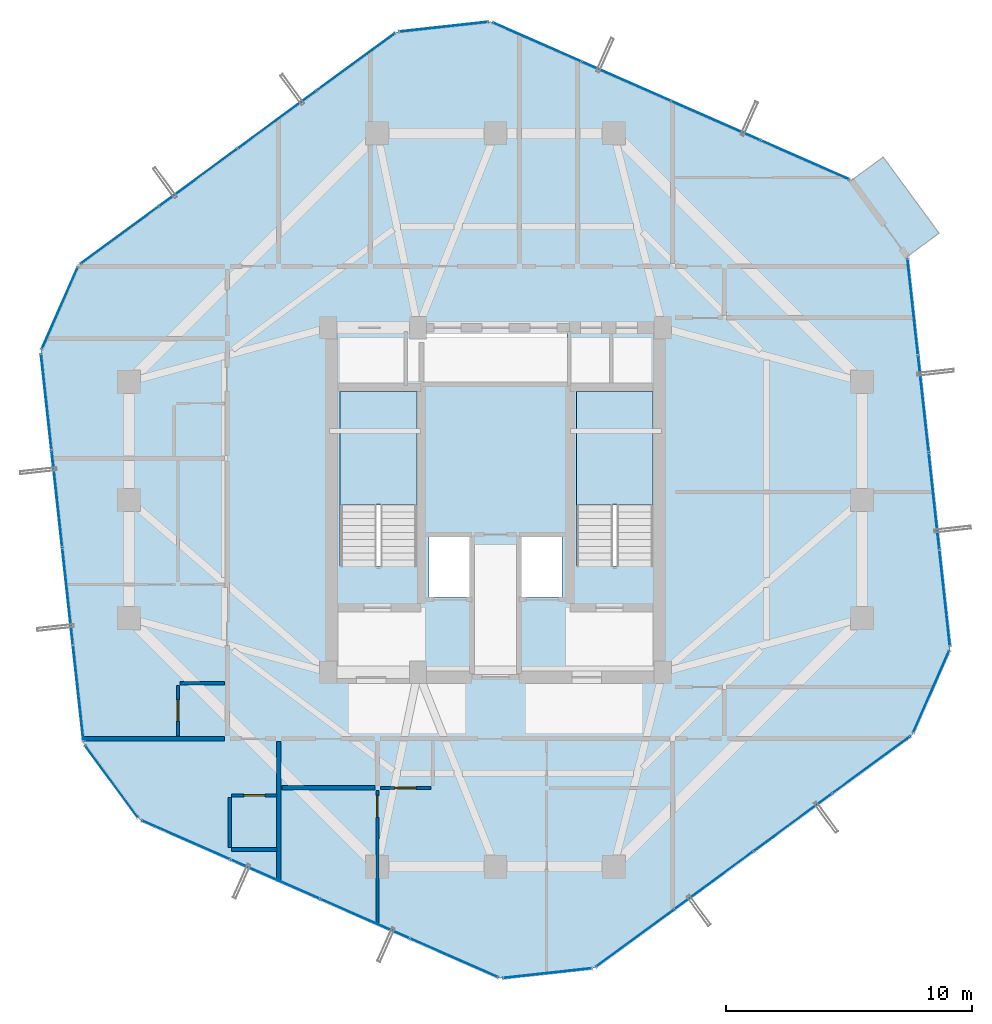
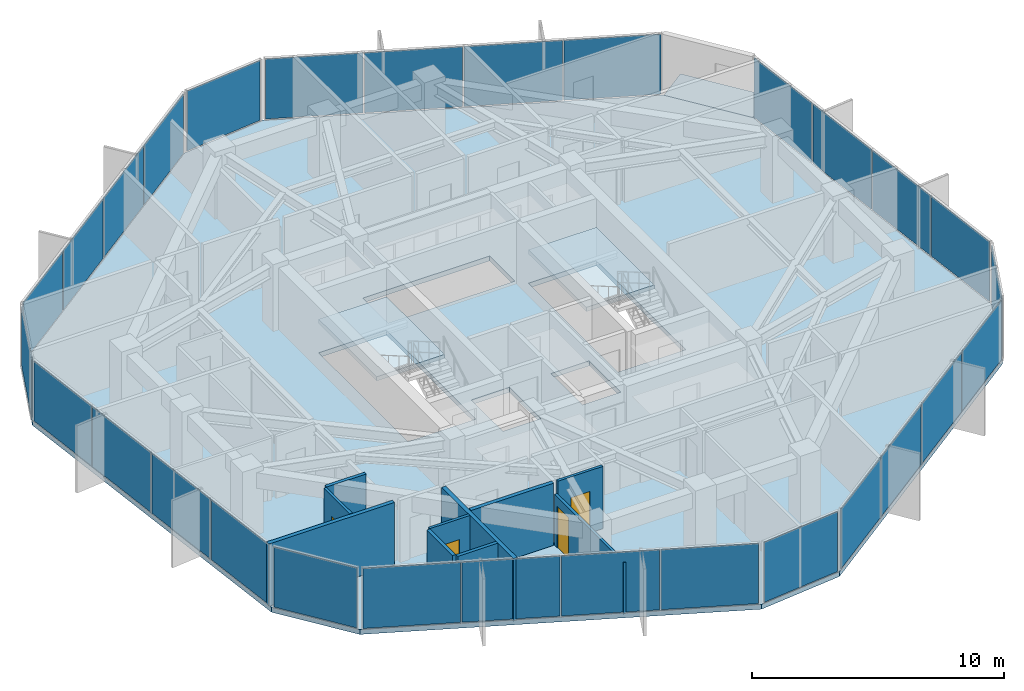
# One storey, part 27 of 32: 29 plates, 10 walls, 4 doors, 4 slabs, 4 openings, 13 elements without a shape of their own.
"""IFC4 building model written with IfcOpenShell, lengths in metres."""

from ifc_helpers import new_model, si_unit, direction, frame, frame_2d, origin, origin_2d, place, context, subcontext, project, spatial, polyline, rectangle, outline, extrude, source, transform, mapped, material, layer, layer_set, type_object, element, fill, aggregate, save


model = new_model("IFC4")

# Units and contexts
model_context = context("Model", 3, precision=1e-05, world=origin(), true_north=direction((0.0, 1.0)))
body_context = subcontext(model_context, "Body", "Model", "MODEL_VIEW")
ifc_project = project(units=[si_unit("LENGTHUNIT", "METRE"), si_unit("AREAUNIT", "SQUARE_METRE"), si_unit("VOLUMEUNIT", "CUBIC_METRE"), si_unit("PLANEANGLEUNIT", "RADIAN"), si_unit("MASSUNIT", "GRAM", prefix="KILO")], contexts=[model_context])

# Site, building, storey
site_placement = place(None, origin())
site = spatial("IfcSite", under=ifc_project, at=site_placement, CompositionType="ELEMENT")
building_placement = place(site_placement, origin())
building = spatial("IfcBuilding", under=site, at=building_placement, Name="Veraguas Prism Commons", CompositionType="ELEMENT")
storey_placement = place(building_placement, frame((0.0, 0.0, 185.35009765625)))
storey = spatial("IfcBuildingStorey", under=building, at=storey_placement, Name="L52", CompositionType="ELEMENT", Elevation=185.35009765625)

# Stair, slab
ifc_material_1 = material(Name="Precast concrete C45/55", Category="concrete")
stair_type = type_object("IfcStairType", Name="Dogleg Core Stair 1480W 20R 05", PredefinedType="HALF_TURN_STAIR", material=ifc_material_1)
stair_1_placement = place(storey_placement, origin())
stair_1 = element("IfcStair", 1, at=stair_1_placement, inside=storey, type_object=stair_type, Name="Protected Exit Stair ST-01 L52", PredefinedType="HALF_TURN_STAIR")
ifc_layer_1 = layer(ifc_material_1, 0.199951171875, Name="Precast Stair and Ramp Landing Slab 200", Category="concrete")
ifc_layer_set_1 = layer_set([ifc_layer_1], Name="Precast concrete C45/55")
slab_type_1 = type_object("IfcSlabType", Name="Precast Stair and Ramp Landing Slab 200", PredefinedType="LANDING", material=ifc_layer_set_1)
slab_1_placement = place(storey_placement, frame((0.0, 0.0, 1.4248046875)))
slab_1 = element("IfcSlab", 2, at=slab_1_placement, type_object=slab_type_1, Name="ST-05 Landing 1", PredefinedType="LANDING", context=body_context, shape_type="SweptSolid", body=[
    extrude(outline(polyline([(20.800048828125, 23.800048828125), (20.800048828125, 28.39990234375), (17.68994140625, 28.39990234375), (17.68994140625, 23.800048828125), (20.800048828125, 23.800048828125)])), origin(), (0.0, 0.0, 1.0), 0.2001953125),
])
aggregate(stair_1, [slab_1])

stair_2_placement = place(storey_placement, origin())
stair_2 = element("IfcStair", 3, at=stair_2_placement, inside=storey, type_object=stair_type, Name="Protected Exit Stair ST-02 L52", PredefinedType="HALF_TURN_STAIR")
slab_2_placement = place(storey_placement, frame((0.0, 0.0, 1.4248046875)))
slab_2 = element("IfcSlab", 4, at=slab_2_placement, type_object=slab_type_1, Name="ST-05 Landing 1", PredefinedType="LANDING", context=body_context, shape_type="SweptSolid", body=[
    extrude(outline(polyline([(30.39990234375, 23.800048828125), (30.39990234375, 28.39990234375), (27.2900390625, 28.39990234375), (27.2900390625, 23.800048828125), (30.39990234375, 23.800048828125)])), origin(), (0.0, 0.0, 1.0), 0.2001953125),
])
aggregate(stair_2, [slab_2])

# Slabs
ifc_material_2 = material(Name="Concrete C45/55", Category="concrete")
ifc_layer_2 = layer(ifc_material_2, 0.219970703125, Name="Recessed Loggia and Terrace Slab RC 220", Category="concrete")
ifc_layer_set_2 = layer_set([ifc_layer_2], Name="Concrete C45/55")
slab_type_2 = type_object("IfcSlabType", Name="Recessed Loggia and Terrace Slab RC 220", PredefinedType="FLOOR", material=ifc_layer_set_2)
slab_3_placement = place(storey_placement, frame((0.0, 0.0, -0.22021484375)))
element("IfcSlab", 5, at=slab_3_placement, inside=storey, type_object=slab_type_2, Name="Recessed Corner Loggia L52-C1", PredefinedType="FLOOR", context=body_context, shape_type="SweptSolid", body=[
    extrude(outline(polyline([(40.715087890625, 33.8828125), (42.021240234375, 34.8408203125), (39.75341796875, 37.9326171875), (38.447021484375, 36.974609375), (40.715087890625, 33.8828125)])), origin(), (0.0, 0.0, 1.0), 0.22021484375),
])
ifc_layer_3 = layer(ifc_material_2, 0.235107421875, Name="Tower Upper Residential Floor Slab RC 235", Category="concrete")
ifc_layer_set_3 = layer_set([ifc_layer_3], Name="Concrete C45/55")
slab_type_3 = type_object("IfcSlabType", Name="Tower Upper Residential Floor Slab RC 235", PredefinedType="FLOOR", material=ifc_layer_set_3)
slab_4_placement = place(storey_placement, frame((0.0, 0.0, -0.235107421875)))
element("IfcSlab", 6, at=slab_4_placement, inside=storey, type_object=slab_type_3, Name="Tower Floor Slab L52", PredefinedType="FLOOR", context=body_context, shape_type="SweptSolid", body=[
    extrude(outline(polyline([(40.731201171875, 33.89453125), (38.463134765625, 36.986328125), (23.796630859375, 43.436767578125), (19.985107421875, 43.018798828125), (7.0654296875, 33.542236328125), (5.521728515625, 30.0322265625), (7.268798828125, 14.10546875), (9.536865234375, 11.013671875), (24.203369140625, 4.563232421875), (28.014892578125, 4.981201171875), (40.9345703125, 14.457763671875), (42.478271484375, 17.9677734375), (40.731201171875, 33.89453125)]), holes=[polyline([(20.800048828125, 21.31005859375), (20.800048828125, 28.39990234375), (17.68994140625, 28.39990234375), (17.68994140625, 21.31005859375), (20.800048828125, 21.31005859375)]), polyline([(30.39990234375, 21.31005859375), (30.39990234375, 28.39990234375), (27.2900390625, 28.39990234375), (27.2900390625, 21.31005859375), (30.39990234375, 21.31005859375)]), polyline([(21.10009765625, 28.800048828125), (26.89990234375, 28.800048828125), (26.89990234375, 30.800048828125), (21.10009765625, 30.800048828125), (21.10009765625, 28.800048828125)]), polyline([(21.300048828125, 20.050048828125), (23.050048828125, 20.050048828125), (23.050048828125, 22.550048828125), (21.300048828125, 22.550048828125), (21.300048828125, 20.050048828125)]), polyline([(24.949951171875, 20.050048828125), (26.699951171875, 20.050048828125), (26.699951171875, 22.550048828125), (24.949951171875, 22.550048828125), (24.949951171875, 20.050048828125)])]), origin(), (0.0, 0.0, 1.0), 0.235107421875),
])

# Curtain wall, plates
ifc_material_3 = material(Name="Anodised aluminium EN AW-6063 T6", Category="aluminium")
ifc_layer_4 = layer(ifc_material_3, 0.14990234375, Name="Unitised Flush Curtain Wall Zone 3", Category="aluminium")
ifc_layer_set_4 = layer_set([ifc_layer_4], Name="Anodised aluminium EN AW-6063 T6")
curtain_wall_type = type_object("IfcCurtainWallType", Name="Unitised Flush Curtain Wall Zone 3", PredefinedType="NOTDEFINED", material=ifc_layer_set_4)
curtain_wall_1_placement = place(storey_placement, origin())
curtain_wall_1 = element("IfcCurtainWall", 7, at=curtain_wall_1_placement, inside=storey, type_object=curtain_wall_type, Name="Tower Facade Curtain Wall L52-F1", PredefinedType="NOTDEFINED")
ifc_material_4 = material(Name="Laminated low-e glass", Category="glass")
ifc_layer_5 = layer(ifc_material_4, 0.028076171875, Name="Unitised Double Low-E Glazed Panel 28", Category="glass")
ifc_layer_set_5 = layer_set([ifc_layer_5], Name="Laminated low-e glass")
plate_type = type_object("IfcPlateType", Name="Unitised Double Low-E Glazed Panel 28", PredefinedType="CURTAIN_PANEL", material=ifc_layer_set_5)
shared_shape_1 = source(origin(), body_context, "Body", "SweptSolid", [
    extrude(rectangle(XDim=3.885498046875, YDim=0.028076171875, at=origin_2d()), origin(), (0.0, 0.0, 1.0), 2.905029296875),
])
plate_1_placement = place(storey_placement, frame((36.574951171875, 37.81689453125, 0.0546875), z_axis=(0.0, 0.0, 1.0), x_axis=(-0.915384568301, 0.402580541155, 0.0)))
plate_1 = element("IfcPlate", 8, at=plate_1_placement, type_object=plate_type, Name="CW-Z3 Panel 1.1", PredefinedType="CURTAIN_PANEL", context=body_context, shape_type="MappedRepresentation", body=[
    mapped(shared_shape_1, transform((0.0, 0.0, 0.0), scale=1.0)),
])
plate_2_placement = place(storey_placement, frame((25.684814453125, 42.606201171875, 0.0546875), z_axis=(0.0, 0.0, 1.0), x_axis=(-0.915384568301, 0.402580541155, 0.0)))
plate_2 = element("IfcPlate", 9, at=plate_2_placement, type_object=plate_type, Name="CW-Z3 Panel 4.1", PredefinedType="CURTAIN_PANEL", context=body_context, shape_type="MappedRepresentation", body=[
    mapped(shared_shape_1, transform((0.0, 0.0, 0.0), scale=1.0)),
])

curtain_wall_2_placement = place(storey_placement, origin())
curtain_wall_2 = element("IfcCurtainWall", 10, at=curtain_wall_2_placement, inside=storey, type_object=curtain_wall_type, Name="Tower Facade Curtain Wall L52-F2", PredefinedType="NOTDEFINED")
plate_3_placement = place(storey_placement, frame((18.32177734375, 41.798583984375, 0.0546875), z_axis=(0.0, 0.0, 1.0), x_axis=(-0.806341388983, -0.591450390493, 0.0)))
plate_3 = element("IfcPlate", 11, at=plate_3_placement, type_object=plate_type, Name="CW-Z3 Panel 1.1", PredefinedType="CURTAIN_PANEL", context=body_context, shape_type="MappedRepresentation", body=[
    mapped(shared_shape_1, transform((0.0, 0.0, 0.0), scale=1.0)),
])
plate_4_placement = place(storey_placement, frame((8.728759765625, 34.76220703125, 0.0546875), z_axis=(0.0, 0.0, 1.0), x_axis=(-0.806341388983, -0.591450390493, 0.0)))
plate_4 = element("IfcPlate", 12, at=plate_4_placement, type_object=plate_type, Name="CW-Z3 Panel 4.1", PredefinedType="CURTAIN_PANEL", context=body_context, shape_type="MappedRepresentation", body=[
    mapped(shared_shape_1, transform((0.0, 0.0, 0.0), scale=1.0)),
])

curtain_wall_3_placement = place(storey_placement, origin())
curtain_wall_3 = element("IfcCurtainWall", 13, at=curtain_wall_3_placement, inside=storey, type_object=curtain_wall_type, Name="Tower Facade Curtain Wall L52-F4", PredefinedType="NOTDEFINED")
plate_5_placement = place(storey_placement, frame((11.425048828125, 10.18310546875, 0.0546875), z_axis=(0.0, 0.0, 1.0), x_axis=(0.915384568301, -0.402580541155, 0.0)))
plate_5 = element("IfcPlate", 14, at=plate_5_placement, type_object=plate_type, Name="CW-Z3 Panel 1.1", PredefinedType="CURTAIN_PANEL", context=body_context, shape_type="MappedRepresentation", body=[
    mapped(shared_shape_1, transform((0.0, 0.0, 0.0), scale=1.0)),
])
plate_6_placement = place(storey_placement, frame((22.315185546875, 5.393798828125, 0.0546875), z_axis=(0.0, 0.0, 1.0), x_axis=(0.915384568301, -0.402580541155, 0.0)))
plate_6 = element("IfcPlate", 15, at=plate_6_placement, type_object=plate_type, Name="CW-Z3 Panel 4.1", PredefinedType="CURTAIN_PANEL", context=body_context, shape_type="MappedRepresentation", body=[
    mapped(shared_shape_1, transform((0.0, 0.0, 0.0), scale=1.0)),
])

curtain_wall_4_placement = place(storey_placement, origin())
curtain_wall_4 = element("IfcCurtainWall", 16, at=curtain_wall_4_placement, inside=storey, type_object=curtain_wall_type, Name="Tower Facade Curtain Wall L52-F5", PredefinedType="NOTDEFINED")
plate_7_placement = place(storey_placement, frame((29.67822265625, 6.201416015625, 0.0546875), z_axis=(0.0, 0.0, 1.0), x_axis=(0.806341388983, 0.591450390493, 0.0)))
plate_7 = element("IfcPlate", 17, at=plate_7_placement, type_object=plate_type, Name="CW-Z3 Panel 1.1", PredefinedType="CURTAIN_PANEL", context=body_context, shape_type="MappedRepresentation", body=[
    mapped(shared_shape_1, transform((0.0, 0.0, 0.0), scale=1.0)),
])
plate_8_placement = place(storey_placement, frame((39.271240234375, 13.23779296875, 0.0546875), z_axis=(0.0, 0.0, 1.0), x_axis=(0.806341388983, 0.591450390493, 0.0)))
plate_8 = element("IfcPlate", 18, at=plate_8_placement, type_object=plate_type, Name="CW-Z3 Panel 4.1", PredefinedType="CURTAIN_PANEL", context=body_context, shape_type="MappedRepresentation", body=[
    mapped(shared_shape_1, transform((0.0, 0.0, 0.0), scale=1.0)),
])

# Plate
shared_shape_2 = source(origin(), body_context, "Body", "SweptSolid", [
    extrude(rectangle(XDim=3.91552734375, YDim=0.028076171875, at=origin_2d()), origin(), (0.0, 0.0, 1.0), 2.905029296875),
])
plate_9_placement = place(storey_placement, frame((32.949462890625, 39.411376953125, 0.0546875), z_axis=(0.0, 0.0, 1.0), x_axis=(-0.915384568301, 0.402580541155, 0.0)))
plate_9 = element("IfcPlate", 19, at=plate_9_placement, type_object=plate_type, Name="CW-Z3 Panel 2.1", PredefinedType="CURTAIN_PANEL", context=body_context, shape_type="MappedRepresentation", body=[
    mapped(shared_shape_2, transform((0.0, 0.0, 0.0), scale=1.0)),
])

plate_10_placement = place(storey_placement, frame((29.310302734375, 41.011962890625, 0.0546875), z_axis=(0.0, 0.0, 1.0), x_axis=(-0.915384568301, 0.402580541155, 0.0)))
plate_10 = element("IfcPlate", 20, at=plate_10_placement, type_object=plate_type, Name="CW-Z3 Panel 3.1", PredefinedType="CURTAIN_PANEL", context=body_context, shape_type="MappedRepresentation", body=[
    mapped(shared_shape_2, transform((0.0, 0.0, 0.0), scale=1.0)),
])

aggregate(curtain_wall_1, [plate_1, plate_9, plate_10, plate_2])

plate_11_placement = place(storey_placement, frame((15.128173828125, 39.4560546875, 0.0546875), z_axis=(0.0, 0.0, 1.0), x_axis=(-0.806341388983, -0.591450390493, 0.0)))
plate_11 = element("IfcPlate", 21, at=plate_11_placement, type_object=plate_type, Name="CW-Z3 Panel 2.1", PredefinedType="CURTAIN_PANEL", context=body_context, shape_type="MappedRepresentation", body=[
    mapped(shared_shape_2, transform((0.0, 0.0, 0.0), scale=1.0)),
])

plate_12_placement = place(storey_placement, frame((11.92236328125, 37.104736328125, 0.0546875), z_axis=(0.0, 0.0, 1.0), x_axis=(-0.806341388983, -0.591450390493, 0.0)))
plate_12 = element("IfcPlate", 22, at=plate_12_placement, type_object=plate_type, Name="CW-Z3 Panel 3.1", PredefinedType="CURTAIN_PANEL", context=body_context, shape_type="MappedRepresentation", body=[
    mapped(shared_shape_2, transform((0.0, 0.0, 0.0), scale=1.0)),
])

aggregate(curtain_wall_2, [plate_3, plate_11, plate_12, plate_4])

# Curtain wall, plates
curtain_wall_5_placement = place(storey_placement, origin())
curtain_wall_5 = element("IfcCurtainWall", 23, at=curtain_wall_5_placement, inside=storey, type_object=curtain_wall_type, Name="Tower Facade Curtain Wall L52-F3", PredefinedType="NOTDEFINED")
plate_13_placement = place(storey_placement, frame((6.178466796875, 24.044921875, 0.0546875), z_axis=(0.0, 0.0, 1.0), x_axis=(0.109045573519, -0.99403675128, 0.0)))
plate_13 = element("IfcPlate", 24, at=plate_13_placement, type_object=plate_type, Name="CW-Z3 Panel 2.1", PredefinedType="CURTAIN_PANEL", context=body_context, shape_type="MappedRepresentation", body=[
    mapped(shared_shape_2, transform((0.0, 0.0, 0.0), scale=1.0)),
])
plate_14_placement = place(storey_placement, frame((6.612060546875, 20.0927734375, 0.0546875), z_axis=(0.0, 0.0, 1.0), x_axis=(0.109045573519, -0.99403675128, 0.0)))
plate_14 = element("IfcPlate", 25, at=plate_14_placement, type_object=plate_type, Name="CW-Z3 Panel 3.1", PredefinedType="CURTAIN_PANEL", context=body_context, shape_type="MappedRepresentation", body=[
    mapped(shared_shape_2, transform((0.0, 0.0, 0.0), scale=1.0)),
])

# Plate
plate_15_placement = place(storey_placement, frame((15.050537109375, 8.588623046875, 0.0546875), z_axis=(0.0, 0.0, 1.0), x_axis=(0.915384568301, -0.402580541155, 0.0)))
plate_15 = element("IfcPlate", 26, at=plate_15_placement, type_object=plate_type, Name="CW-Z3 Panel 2.1", PredefinedType="CURTAIN_PANEL", context=body_context, shape_type="MappedRepresentation", body=[
    mapped(shared_shape_2, transform((0.0, 0.0, 0.0), scale=1.0)),
])

plate_16_placement = place(storey_placement, frame((18.689697265625, 6.988037109375, 0.0546875), z_axis=(0.0, 0.0, 1.0), x_axis=(0.915384568301, -0.402580541155, 0.0)))
plate_16 = element("IfcPlate", 27, at=plate_16_placement, type_object=plate_type, Name="CW-Z3 Panel 3.1", PredefinedType="CURTAIN_PANEL", context=body_context, shape_type="MappedRepresentation", body=[
    mapped(shared_shape_2, transform((0.0, 0.0, 0.0), scale=1.0)),
])

aggregate(curtain_wall_3, [plate_5, plate_15, plate_16, plate_6])

plate_17_placement = place(storey_placement, frame((32.871826171875, 8.5439453125, 0.0546875), z_axis=(0.0, 0.0, 1.0), x_axis=(0.806341388983, 0.591450390493, 0.0)))
plate_17 = element("IfcPlate", 28, at=plate_17_placement, type_object=plate_type, Name="CW-Z3 Panel 2.1", PredefinedType="CURTAIN_PANEL", context=body_context, shape_type="MappedRepresentation", body=[
    mapped(shared_shape_2, transform((0.0, 0.0, 0.0), scale=1.0)),
])

plate_18_placement = place(storey_placement, frame((36.07763671875, 10.895263671875, 0.0546875), z_axis=(0.0, 0.0, 1.0), x_axis=(0.806341388983, 0.591450390493, 0.0)))
plate_18 = element("IfcPlate", 29, at=plate_18_placement, type_object=plate_type, Name="CW-Z3 Panel 3.1", PredefinedType="CURTAIN_PANEL", context=body_context, shape_type="MappedRepresentation", body=[
    mapped(shared_shape_2, transform((0.0, 0.0, 0.0), scale=1.0)),
])

aggregate(curtain_wall_4, [plate_7, plate_17, plate_18, plate_8])

# Curtain wall, plates
curtain_wall_6_placement = place(storey_placement, origin())
curtain_wall_6 = element("IfcCurtainWall", 30, at=curtain_wall_6_placement, inside=storey, type_object=curtain_wall_type, Name="Tower Facade Curtain Wall L52-F6", PredefinedType="NOTDEFINED")
plate_19_placement = place(storey_placement, frame((41.821533203125, 23.955078125, 0.0546875), z_axis=(0.0, 0.0, 1.0), x_axis=(-0.109045573519, 0.99403675128, 0.0)))
plate_19 = element("IfcPlate", 31, at=plate_19_placement, type_object=plate_type, Name="CW-Z3 Panel 2.1", PredefinedType="CURTAIN_PANEL", context=body_context, shape_type="MappedRepresentation", body=[
    mapped(shared_shape_2, transform((0.0, 0.0, 0.0), scale=1.0)),
])
plate_20_placement = place(storey_placement, frame((41.387939453125, 27.9072265625, 0.0546875), z_axis=(0.0, 0.0, 1.0), x_axis=(-0.109045573519, 0.99403675128, 0.0)))
plate_20 = element("IfcPlate", 32, at=plate_20_placement, type_object=plate_type, Name="CW-Z3 Panel 3.1", PredefinedType="CURTAIN_PANEL", context=body_context, shape_type="MappedRepresentation", body=[
    mapped(shared_shape_2, transform((0.0, 0.0, 0.0), scale=1.0)),
])

# Plate
shared_shape_3 = source(origin(), body_context, "Body", "SweptSolid", [
    extrude(rectangle(XDim=3.8857421875, YDim=0.028076171875, at=origin_2d()), origin(), (0.0, 0.0, 1.0), 2.905029296875),
])
plate_21_placement = place(storey_placement, frame((5.74658203125, 27.98193359375, 0.0546875), z_axis=(0.0, 0.0, 1.0), x_axis=(0.109045573519, -0.99403675128, 0.0)))
plate_21 = element("IfcPlate", 33, at=plate_21_placement, type_object=plate_type, Name="CW-Z3 Panel 1.1", PredefinedType="CURTAIN_PANEL", context=body_context, shape_type="MappedRepresentation", body=[
    mapped(shared_shape_3, transform((0.0, 0.0, 0.0), scale=1.0)),
])

plate_22_placement = place(storey_placement, frame((7.0439453125, 16.15576171875, 0.0546875), z_axis=(0.0, 0.0, 1.0), x_axis=(0.109045573519, -0.99403675128, 0.0)))
plate_22 = element("IfcPlate", 34, at=plate_22_placement, type_object=plate_type, Name="CW-Z3 Panel 4.1", PredefinedType="CURTAIN_PANEL", context=body_context, shape_type="MappedRepresentation", body=[
    mapped(shared_shape_3, transform((0.0, 0.0, 0.0), scale=1.0)),
])

aggregate(curtain_wall_5, [plate_21, plate_13, plate_14, plate_22])

plate_23_placement = place(storey_placement, frame((42.25341796875, 20.01806640625, 0.0546875), z_axis=(0.0, 0.0, 1.0), x_axis=(-0.109045573519, 0.99403675128, 0.0)))
plate_23 = element("IfcPlate", 35, at=plate_23_placement, type_object=plate_type, Name="CW-Z3 Panel 1.1", PredefinedType="CURTAIN_PANEL", context=body_context, shape_type="MappedRepresentation", body=[
    mapped(shared_shape_3, transform((0.0, 0.0, 0.0), scale=1.0)),
])

plate_24_placement = place(storey_placement, frame((40.9560546875, 31.84423828125, 0.0546875), z_axis=(0.0, 0.0, 1.0), x_axis=(-0.109045573519, 0.99403675128, 0.0)))
plate_24 = element("IfcPlate", 36, at=plate_24_placement, type_object=plate_type, Name="CW-Z3 Panel 4.1", PredefinedType="CURTAIN_PANEL", context=body_context, shape_type="MappedRepresentation", body=[
    mapped(shared_shape_3, transform((0.0, 0.0, 0.0), scale=1.0)),
])

aggregate(curtain_wall_6, [plate_23, plate_19, plate_20, plate_24])

# Curtain wall, plate
curtain_wall_7_placement = place(storey_placement, origin())
curtain_wall_7 = element("IfcCurtainWall", 37, at=curtain_wall_7_placement, inside=storey, type_object=curtain_wall_type, Name="Chamfer Curtain Wall L52-C4", PredefinedType="NOTDEFINED")
shared_shape_4 = source(origin(), body_context, "Body", "SweptSolid", [
    extrude(rectangle(XDim=3.59423828125, YDim=0.028076171875, at=origin_2d()), origin(), (0.0, 0.0, 1.0), 2.905029296875),
])
plate_25_placement = place(storey_placement, frame((8.40283203125, 12.5595703125, 0.0546875), z_axis=(0.0, 0.0, 1.0), x_axis=(0.5914630564, -0.806332098402, 0.0)))
plate_25 = element("IfcPlate", 38, at=plate_25_placement, type_object=plate_type, Name="CW-Z3 Panel 1.1", PredefinedType="CURTAIN_PANEL", context=body_context, shape_type="MappedRepresentation", body=[
    mapped(shared_shape_4, transform((0.0, 0.0, 0.0), scale=1.0)),
])
aggregate(curtain_wall_7, [plate_25])

curtain_wall_8_placement = place(storey_placement, origin())
curtain_wall_8 = element("IfcCurtainWall", 39, at=curtain_wall_8_placement, inside=storey, type_object=curtain_wall_type, Name="Chamfer Curtain Wall L52-C2", PredefinedType="NOTDEFINED")
shared_shape_5 = source(origin(), body_context, "Body", "SweptSolid", [
    extrude(rectangle(XDim=3.594482421875, YDim=0.028076171875, at=origin_2d()), origin(), (0.0, 0.0, 1.0), 2.905029296875),
])
plate_26_placement = place(storey_placement, frame((21.890869140625, 43.227783203125, 0.0546875), z_axis=(0.0, 0.0, 1.0), x_axis=(-0.994035038274, -0.109061187799, 0.0)))
plate_26 = element("IfcPlate", 40, at=plate_26_placement, type_object=plate_type, Name="CW-Z3 Panel 1.1", PredefinedType="CURTAIN_PANEL", context=body_context, shape_type="MappedRepresentation", body=[
    mapped(shared_shape_5, transform((0.0, 0.0, 0.0), scale=1.0)),
])
aggregate(curtain_wall_8, [plate_26])

curtain_wall_9_placement = place(storey_placement, origin())
curtain_wall_9 = element("IfcCurtainWall", 41, at=curtain_wall_9_placement, inside=storey, type_object=curtain_wall_type, Name="Chamfer Curtain Wall L52-C3", PredefinedType="NOTDEFINED")
plate_27_placement = place(storey_placement, frame((6.293701171875, 31.787353515625, 0.0546875), z_axis=(0.0, 0.0, 1.0), x_axis=(-0.402570955249, -0.915388784064, 0.0)))
plate_27 = element("IfcPlate", 42, at=plate_27_placement, type_object=plate_type, Name="CW-Z3 Panel 1.1", PredefinedType="CURTAIN_PANEL", context=body_context, shape_type="MappedRepresentation", body=[
    mapped(shared_shape_5, transform((0.0, 0.0, 0.0), scale=1.0)),
])
aggregate(curtain_wall_9, [plate_27])

curtain_wall_10_placement = place(storey_placement, origin())
curtain_wall_10 = element("IfcCurtainWall", 43, at=curtain_wall_10_placement, inside=storey, type_object=curtain_wall_type, Name="Chamfer Curtain Wall L52-C5", PredefinedType="NOTDEFINED")
plate_28_placement = place(storey_placement, frame((26.109130859375, 4.772216796875, 0.0546875), z_axis=(0.0, 0.0, 1.0), x_axis=(0.994035038274, 0.109061187799, 0.0)))
plate_28 = element("IfcPlate", 44, at=plate_28_placement, type_object=plate_type, Name="CW-Z3 Panel 1.1", PredefinedType="CURTAIN_PANEL", context=body_context, shape_type="MappedRepresentation", body=[
    mapped(shared_shape_5, transform((0.0, 0.0, 0.0), scale=1.0)),
])
aggregate(curtain_wall_10, [plate_28])

curtain_wall_11_placement = place(storey_placement, origin())
curtain_wall_11 = element("IfcCurtainWall", 45, at=curtain_wall_11_placement, inside=storey, type_object=curtain_wall_type, Name="Chamfer Curtain Wall L52-C6", PredefinedType="NOTDEFINED")
plate_29_placement = place(storey_placement, frame((41.706298828125, 16.212646484375, 0.0546875), z_axis=(0.0, 0.0, 1.0), x_axis=(0.402570955249, 0.915388784064, 0.0)))
plate_29 = element("IfcPlate", 46, at=plate_29_placement, type_object=plate_type, Name="CW-Z3 Panel 1.1", PredefinedType="CURTAIN_PANEL", context=body_context, shape_type="MappedRepresentation", body=[
    mapped(shared_shape_5, transform((0.0, 0.0, 0.0), scale=1.0)),
])
aggregate(curtain_wall_11, [plate_29])

# Walls
ifc_material_5 = material(Name="Autoclaved aerated masonry block 10 MPa", Category="masonry")
ifc_layer_6 = layer(ifc_material_5, 0.179931640625, Name="Corridor and Inter-Tenancy Partition 180", Category="masonry")
ifc_layer_set_6 = layer_set([ifc_layer_6], Name="Autoclaved aerated masonry block 10 MPa")
wall_type_1 = type_object("IfcWallType", Name="Corridor and Inter-Tenancy Partition 180", PredefinedType="PARTITIONING", material=ifc_layer_set_6)
wall_1_placement = place(storey_placement, frame((15.199951171875, 14.179931640625, 0.0), z_axis=(0.0, 0.0, 1.0), x_axis=(0.0, -1.0, 0.0)))
element("IfcWall", 47, at=wall_1_placement, inside=storey, type_object=wall_type_1, Name="WL-L52-PT001", PredefinedType="PARTITIONING", context=body_context, shape_type="SweptSolid", body=[
    extrude(rectangle(XDim=5.68994140625, YDim=0.179931640625, at=frame_2d((2.844970703125, 0.0))), origin(), (0.0, 0.0, 1.0), 3.014892578125),
])
wall_2_placement = place(storey_placement, frame((15.320068359375, 12.300048828125, 0.0), z_axis=(0.0, 0.0, 1.0), x_axis=(1.0, 0.0, 0.0)))
element("IfcWall", 48, at=wall_2_placement, inside=storey, type_object=wall_type_1, Name="WL-L52-PT005", PredefinedType="PARTITIONING", context=body_context, shape_type="SweptSolid", body=[
    extrude(rectangle(XDim=3.780029296875, YDim=0.179931640625, at=frame_2d((1.89013671875, 0.0))), origin(), (0.0, 0.0, 1.0), 3.014892578125),
])
wall_3_placement = place(storey_placement, frame((12.97998046875, 14.300048828125, 0.0), z_axis=(0.0, 0.0, 1.0), x_axis=(-1.0, 0.0, 0.0)))
element("IfcWall", 49, at=wall_3_placement, inside=storey, type_object=wall_type_1, Name="WL-L52-PT022", PredefinedType="PARTITIONING", context=body_context, shape_type="SweptSolid", body=[
    extrude(rectangle(XDim=5.7626953125, YDim=0.179931640625, at=frame_2d((2.88134765625, 0.0))), origin(), (0.0, 0.0, 1.0), 3.014892578125),
])

# Wall, opening, door
ifc_material_6 = material(Name="Lightweight acoustic gypsum board")
ifc_layer_7 = layer(ifc_material_6, 0.125, Name="Internal Apartment Room Partition 125")
ifc_layer_set_7 = layer_set([ifc_layer_7], Name="Lightweight acoustic gypsum board")
wall_type_2 = type_object("IfcWallType", Name="Internal Apartment Room Partition 125", PredefinedType="PARTITIONING", material=ifc_layer_set_7)
wall_4_placement = place(storey_placement, frame((19.199951171875, 12.199951171875, 0.0), z_axis=(0.0, 0.0, 1.0), x_axis=(0.0, -1.0, 0.0)))
wall_4 = element("IfcWall", 50, at=wall_4_placement, inside=storey, type_object=wall_type_2, Name="WL-L52-PT007", PredefinedType="PARTITIONING", context=body_context, shape_type="SweptSolid", body=[
    extrude(rectangle(XDim=5.468994140625, YDim=0.125, at=frame_2d((2.734375, 0.0))), origin(), (0.0, 0.0, 1.0), 2.468994140625),
])
opening_1_placement = place(wall_4_placement, frame((0.199951171875, 0.0, 0.0)))
opening_1 = element("IfcOpeningElement", 51, at=opening_1_placement, cuts=wall_4, Name="Opening DR-02", PredefinedType="OPENING", context=body_context, shape_type="SweptSolid", body=[
    extrude(rectangle(XDim=0.89990234375, YDim=2.010009765625, at=frame_2d((0.449951171875, 1.0048828125))), frame((0.0, 0.072509765625, 0.0), z_axis=(0.0, -1.0, 0.0), x_axis=(1.0, 0.0, 0.0)), (0.0, 0.0, 1.0), 0.14501953125),
])
ifc_material_7 = material(Name="Timber solid core hardwood", Category="wood")
door_type_1 = type_object("IfcDoorType", Name="Internal Habitable Room Door 900x2010", OperationType="NOTDEFINED", PredefinedType="DOOR", material=ifc_material_7)
shared_shape_6 = source(origin(), body_context, "Body", "SweptSolid", [
    extrude(rectangle(XDim=0.89990234375, YDim=2.010009765625, at=frame_2d((0.449951171875, 1.0048828125))), frame((0.0, 0.02490234375, 0.0), z_axis=(0.0, -1.0, 0.0), x_axis=(1.0, 0.0, 0.0)), (0.0, 0.0, 1.0), 0.050048828125),
])
door_1_placement = place(opening_1_placement, origin())
door_1 = element("IfcDoor", 52, at=door_1_placement, inside=storey, type_object=door_type_1, Name="Flat 52A Bedroom 2 Door", OperationType="SINGLE_SWING_RIGHT", OverallHeight=2.010009765625, OverallWidth=0.89990234375, PredefinedType="DOOR", context=body_context, shape_type="MappedRepresentation", body=[
    mapped(shared_shape_6, transform((0.0, 0.0, 0.0), scale=1.0)),
])
fill(opening_1, door_1)

wall_5_placement = place(storey_placement, frame((19.320068359375, 12.300048828125, 0.0), z_axis=(0.0, 0.0, 1.0), x_axis=(1.0, 0.0, 0.0)))
wall_5 = element("IfcWall", 53, at=wall_5_placement, inside=storey, type_object=wall_type_2, Name="WL-L52-PT009", PredefinedType="PARTITIONING", context=body_context, shape_type="SweptSolid", body=[
    extrude(rectangle(XDim=2.050048828125, YDim=0.125, at=frame_2d((1.02490234375, 0.0))), origin(), (0.0, 0.0, 1.0), 3.014892578125),
])
opening_2_placement = place(wall_5_placement, frame((0.594970703125, 0.0, 0.0)))
opening_2 = element("IfcOpeningElement", 54, at=opening_2_placement, cuts=wall_5, Name="Opening DR-03", PredefinedType="OPENING", context=body_context, shape_type="SweptSolid", body=[
    extrude(rectangle(XDim=0.860107421875, YDim=2.010009765625, at=frame_2d((0.43017578125, 1.0048828125))), frame((0.0, 0.072509765625, 0.0), z_axis=(0.0, -1.0, 0.0), x_axis=(1.0, 0.0, 0.0)), (0.0, 0.0, 1.0), 0.14501953125),
])
ifc_material_8 = material(Name="Timber moisture-resistant leaf", Category="wood")
door_type_2 = type_object("IfcDoorType", Name="Internal Bathroom Door 860x2010", OperationType="NOTDEFINED", PredefinedType="DOOR", material=ifc_material_8)
shared_shape_7 = source(origin(), body_context, "Body", "SweptSolid", [
    extrude(rectangle(XDim=0.860107421875, YDim=2.010009765625, at=frame_2d((0.43017578125, 1.0048828125))), frame((0.0, 0.02490234375, 0.0), z_axis=(0.0, -1.0, 0.0), x_axis=(1.0, 0.0, 0.0)), (0.0, 0.0, 1.0), 0.050048828125),
])
door_2_placement = place(opening_2_placement, origin())
door_2 = element("IfcDoor", 55, at=door_2_placement, inside=storey, type_object=door_type_2, Name="Flat 52A Bathroom Door", OperationType="SINGLE_SWING_LEFT", OverallHeight=2.010009765625, OverallWidth=0.860107421875, PredefinedType="DOOR", context=body_context, shape_type="MappedRepresentation", body=[
    mapped(shared_shape_7, transform((0.0, 0.0, 0.0), scale=1.0)),
])
fill(opening_2, door_2)

wall_6_placement = place(storey_placement, frame((11.10009765625, 14.419921875, 0.0), z_axis=(0.0, 0.0, 1.0), x_axis=(0.0, 1.0, 0.0)))
wall_6 = element("IfcWall", 56, at=wall_6_placement, inside=storey, type_object=wall_type_2, Name="WL-L52-PT026", PredefinedType="PARTITIONING", context=body_context, shape_type="SweptSolid", body=[
    extrude(rectangle(XDim=2.050048828125, YDim=0.125, at=frame_2d((1.02490234375, 0.0))), origin(), (0.0, 0.0, 1.0), 3.014892578125),
])
opening_3_placement = place(wall_6_placement, frame((0.594970703125, 0.0, 0.0)))
opening_3 = element("IfcOpeningElement", 57, at=opening_3_placement, cuts=wall_6, Name="Opening DR-03", PredefinedType="OPENING", context=body_context, shape_type="SweptSolid", body=[
    extrude(rectangle(XDim=0.860107421875, YDim=2.010009765625, at=frame_2d((0.43017578125, 1.0048828125))), frame((0.0, 0.072509765625, 0.0), z_axis=(0.0, -1.0, 0.0), x_axis=(1.0, 0.0, 0.0)), (0.0, 0.0, 1.0), 0.14501953125),
])
door_3_placement = place(opening_3_placement, origin())
door_3 = element("IfcDoor", 58, at=door_3_placement, inside=storey, type_object=door_type_2, Name="Flat 52B Bathroom Door", OperationType="SINGLE_SWING_LEFT", OverallHeight=2.010009765625, OverallWidth=0.860107421875, PredefinedType="DOOR", context=body_context, shape_type="MappedRepresentation", body=[
    mapped(shared_shape_7, transform((0.0, 0.0, 0.0), scale=1.0)),
])
fill(opening_3, door_3)

wall_7_placement = place(storey_placement, frame((13.280029296875, 12.0, 0.0), z_axis=(0.0, 0.0, 1.0), x_axis=(1.0, 0.0, 0.0)))
wall_7 = element("IfcWall", 59, at=wall_7_placement, inside=storey, type_object=wall_type_2, Name="WL-L52-PT044", PredefinedType="PARTITIONING", context=body_context, shape_type="SweptSolid", body=[
    extrude(rectangle(XDim=1.840087890625, YDim=0.125, at=frame_2d((0.919921875, 0.0))), origin(), (0.0, 0.0, 1.0), 3.014892578125),
])
opening_4_placement = place(wall_7_placement, frame((0.489990234375, 0.0, 0.0)))
opening_4 = element("IfcOpeningElement", 60, at=opening_4_placement, cuts=wall_7, Name="Opening DR-03", PredefinedType="OPENING", context=body_context, shape_type="SweptSolid", body=[
    extrude(rectangle(XDim=0.860107421875, YDim=2.010009765625, at=frame_2d((0.43017578125, 1.0048828125))), frame((0.0, 0.072509765625, 0.0), z_axis=(0.0, -1.0, 0.0), x_axis=(1.0, 0.0, 0.0)), (0.0, 0.0, 1.0), 0.14501953125),
])
door_4_placement = place(opening_4_placement, origin())
door_4 = element("IfcDoor", 61, at=door_4_placement, inside=storey, type_object=door_type_2, Name="Studio 52D Bathroom Door", OperationType="SINGLE_SWING_RIGHT", OverallHeight=2.010009765625, OverallWidth=0.860107421875, PredefinedType="DOOR", context=body_context, shape_type="MappedRepresentation", body=[
    mapped(shared_shape_7, transform((0.0, 0.0, 0.0), scale=1.0)),
])
fill(opening_4, door_4)

# Walls
ifc_layer_8 = layer(ifc_material_6, 0.14990234375, Name="Wet Room and Clinic Acoustic Partition 150")
ifc_layer_set_8 = layer_set([ifc_layer_8], Name="Lightweight acoustic gypsum board")
wall_type_3 = type_object("IfcWallType", Name="Wet Room and Clinic Acoustic Partition 150", PredefinedType="PARTITIONING", material=ifc_layer_set_8)
wall_8_placement = place(storey_placement, frame((12.97998046875, 16.550048828125, 0.0), z_axis=(0.0, 0.0, 1.0), x_axis=(-1.0, 0.0, 0.0)))
element("IfcWall", 62, at=wall_8_placement, inside=storey, type_object=wall_type_3, Name="WL-L52-PT025", PredefinedType="PARTITIONING", context=body_context, shape_type="SweptSolid", body=[
    extrude(rectangle(XDim=1.800048828125, YDim=0.14990234375, at=frame_2d((0.89990234375, 0.0))), origin(), (0.0, 0.0, 1.0), 3.014892578125),
])
wall_9_placement = place(storey_placement, frame((13.280029296875, 9.800048828125, 0.0), z_axis=(0.0, 0.0, 1.0), x_axis=(1.0, 0.0, 0.0)))
element("IfcWall", 63, at=wall_9_placement, inside=storey, type_object=wall_type_3, Name="WL-L52-PT045", PredefinedType="PARTITIONING", context=body_context, shape_type="SweptSolid", body=[
    extrude(rectangle(XDim=1.840087890625, YDim=0.14990234375, at=frame_2d((0.919921875, 0.0))), origin(), (0.0, 0.0, 1.0), 3.014892578125),
])
wall_10_placement = place(storey_placement, frame((13.199951171875, 9.8798828125, 0.0), z_axis=(0.0, 0.0, 1.0), x_axis=(0.0, 1.0, 0.0)))
element("IfcWall", 64, at=wall_10_placement, inside=storey, type_object=wall_type_3, Name="WL-L52-PT046", PredefinedType="PARTITIONING", context=body_context, shape_type="SweptSolid", body=[
    extrude(rectangle(XDim=2.0400390625, YDim=0.14990234375, at=frame_2d((1.02001953125, 0.0))), origin(), (0.0, 0.0, 1.0), 3.014892578125),
])

save(model, "model.ifc")
